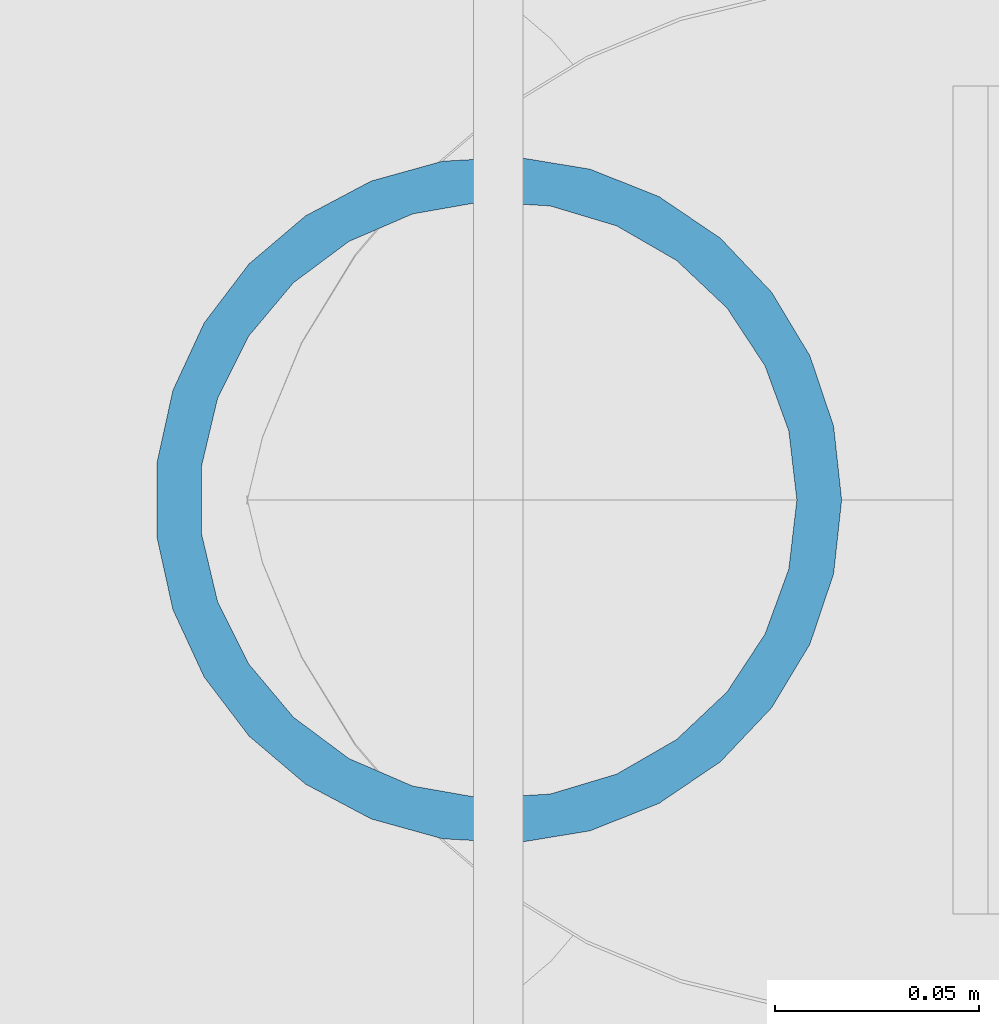
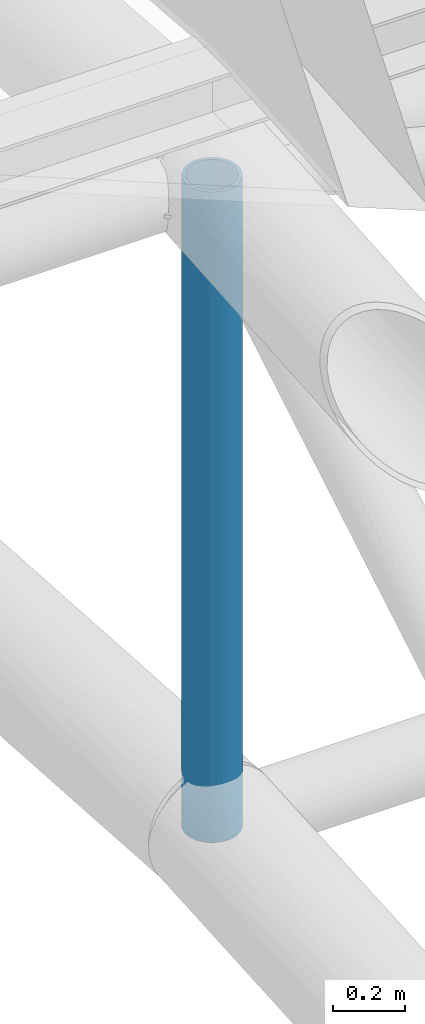
# One storey, part 19 of 110: 1 member.
"""IFC4 building model written with IfcOpenShell, lengths in metres."""

from ifc_helpers import new_model, si_unit, direction, frame, origin, origin_2d, place, context, subcontext, project, spatial, hollow_circle, extrude, material, material_profile, profile_set, type_object, element, save


model = new_model("IFC4")

# Units and contexts
model_context = context("Model", 3, precision=1e-05, world=origin(), true_north=direction((0.0, 1.0)))
body_context = subcontext(model_context, "Body", "Model", "MODEL_VIEW")
ifc_project = project(units=[si_unit("LENGTHUNIT", "METRE"), si_unit("AREAUNIT", "SQUARE_METRE"), si_unit("VOLUMEUNIT", "CUBIC_METRE"), si_unit("PLANEANGLEUNIT", "RADIAN"), si_unit("MASSUNIT", "GRAM", prefix="KILO")], contexts=[model_context])

# Site, building, storey
site_placement = place(None, origin())
site = spatial("IfcSite", under=ifc_project, at=site_placement, CompositionType="ELEMENT")
building_placement = place(site_placement, origin())
building = spatial("IfcBuilding", under=site, at=building_placement, Name="Windward Yard Aquatics Centre", CompositionType="ELEMENT")
storey_placement = place(building_placement, frame((0.0, 0.0, 22.60009765625)))
storey = spatial("IfcBuildingStorey", under=building, at=storey_placement, Name="L05", CompositionType="ELEMENT", Elevation=22.60009765625)

# Member
ifc_material = material(Name="Steel ASTM A500 Gr C", Category="steel")
ifc_material_profile = material_profile(ifc_material, hollow_circle(Radius=0.084228515625, WallThickness=0.010986328125, at=origin_2d()), Name="HSS168.3X11")
ifc_profile_set = profile_set([ifc_material_profile], Name="Steel ASTM A500 Gr C")
member_type = type_object("IfcMemberType", Name="H arch post HSS168.3X11", PredefinedType="POST", material=ifc_profile_set)
member_placement = place(storey_placement, frame((96.0, 61.0, 6.5966796875), z_axis=(0.0, 0.0, 1.0), x_axis=(1.0, 0.0, 0.0)))
element("IfcMember", 1, at=member_placement, inside=storey, type_object=member_type, Name="H.AT.4.WP06", PredefinedType="POST", context=body_context, shape_type="SweptSolid", body=[
    extrude(hollow_circle(Radius=0.084228515625, WallThickness=0.010986328125, at=origin_2d()), origin(), (0.0, 0.0, 1.0), 2.199951171875),
])

save(model, "model.ifc")
